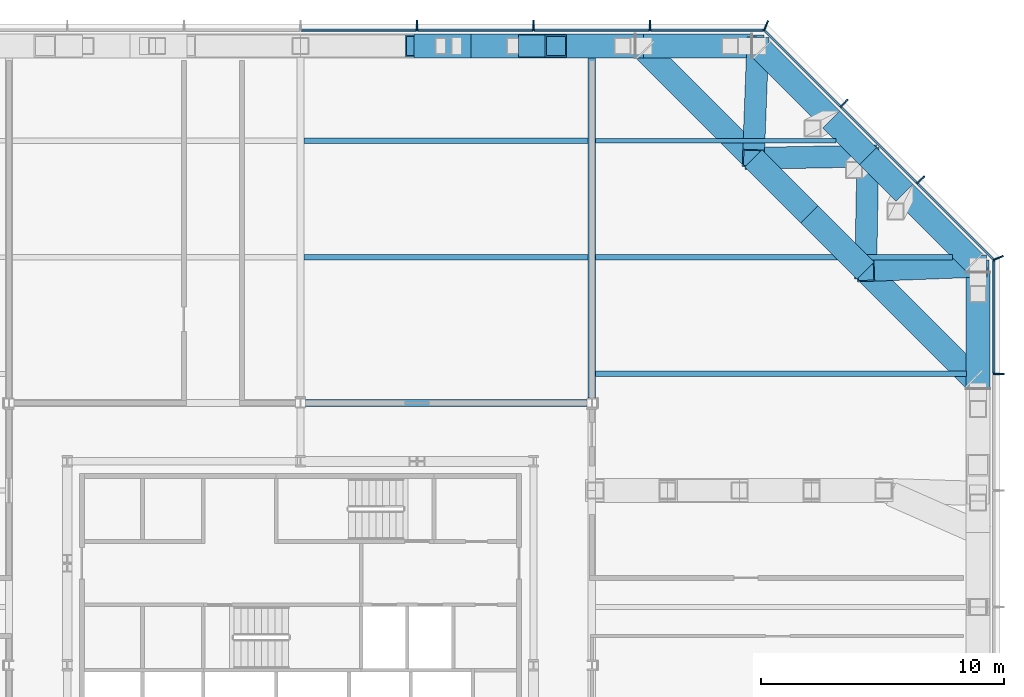
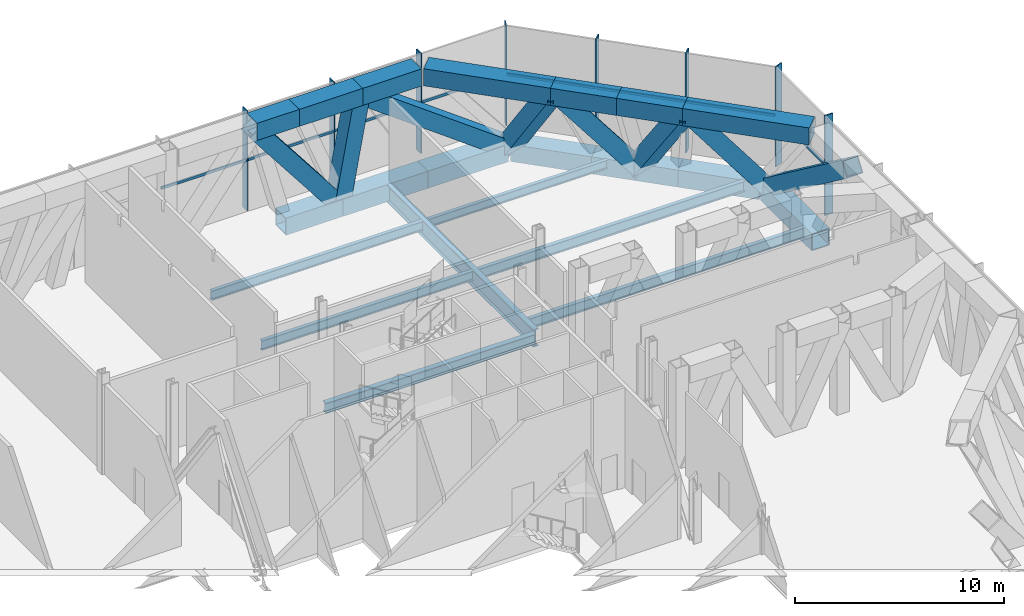
# One storey, part 8 of 17: 30 beams, 16 members, 3 elements without a shape of their own.
"""IFC4 building model written with IfcOpenShell, lengths in metres."""

from ifc_helpers import new_model, si_unit, direction, frame, origin, origin_2d, place, context, subcontext, project, spatial, rectangle, hollow_rectangle, i_section, extrude, material, material_profile, profile_set, type_object, element, aggregate, save


model = new_model("IFC4")

# Units and contexts
model_context = context("Model", 3, precision=1e-05, world=origin(), true_north=direction((0.0, 1.0)))
body_context = subcontext(model_context, "Body", "Model", "MODEL_VIEW")
ifc_project = project(units=[si_unit("LENGTHUNIT", "METRE"), si_unit("AREAUNIT", "SQUARE_METRE"), si_unit("VOLUMEUNIT", "CUBIC_METRE"), si_unit("PLANEANGLEUNIT", "RADIAN"), si_unit("MASSUNIT", "GRAM", prefix="KILO")], contexts=[model_context])

# Site, building, storey
site_placement = place(None, origin())
site = spatial("IfcSite", under=ifc_project, at=site_placement, CompositionType="ELEMENT")
building_placement = place(site_placement, origin())
building = spatial("IfcBuilding", under=site, at=building_placement, Name="Cairn Pilgrim Tower", CompositionType="ELEMENT")
storey_placement = place(building_placement, frame((0.0, 0.0, 119.39990234375)))
storey = spatial("IfcBuildingStorey", under=building, at=storey_placement, Name="L29", CompositionType="ELEMENT", Elevation=119.39990234375)

# Beams
ifc_material_1 = material(Name="Structural steel S460M", Category="steel")
ifc_material_profile_1 = material_profile(ifc_material_1, hollow_rectangle(XDim=1.0, YDim=1.0, WallThickness=0.06005859375, at=origin_2d()), Name="BOX 1000x1000x60")
ifc_profile_set_1 = profile_set([ifc_material_profile_1], Name="Structural steel S460M")
beam_type_1 = type_object("IfcBeamType", Name="BOX 1000x1000x60 CHORD", PredefinedType="USERDEFINED", material=ifc_profile_set_1)
beam_1_placement = place(storey_placement, frame((35.10009765625, 13.683837890625, -0.75), z_axis=(0.0, 1.0, 0.0), x_axis=(-1.0, 0.0, 0.0)))
element("IfcBeam", 1, at=beam_1_placement, inside=storey, type_object=beam_type_1, Name="BT29-E-BC6", ObjectType="CHORD", PredefinedType="USERDEFINED", context=body_context, shape_type="SweptSolid", body=[
    extrude(hollow_rectangle(XDim=1.0, YDim=1.0, WallThickness=0.06005859375, at=origin_2d()), origin(), (0.0, 0.0, 1.0), 4.88623046875),
])
beam_2_placement = place(storey_placement, frame((34.918212890625, 19.009033203125, -0.75), z_axis=(-0.707106781187, 0.707106781187, 0.0), x_axis=(-0.707106781187, -0.707106781187, 0.0)))
element("IfcBeam", 2, at=beam_2_placement, inside=storey, type_object=beam_type_1, Name="BT29-NE-BC1", ObjectType="CHORD", PredefinedType="USERDEFINED", context=body_context, shape_type="SweptSolid", body=[
    extrude(hollow_rectangle(XDim=1.0, YDim=1.0, WallThickness=0.06005859375, at=origin_2d()), origin(), (0.0, 0.0, 1.0), 4.02001953125),
])
beam_3_placement = place(storey_placement, frame((34.918212890625, 14.208984375, 5.35009765625), z_axis=(-0.707106781187, 0.707106781187, 0.0), x_axis=(-0.707106781187, -0.707106781187, 0.0)))
element("IfcBeam", 3, at=beam_3_placement, inside=storey, type_object=beam_type_1, Name="BT29-NE-TC1", ObjectType="CHORD", PredefinedType="USERDEFINED", context=body_context, shape_type="SweptSolid", body=[
    extrude(hollow_rectangle(XDim=1.0, YDim=1.0, WallThickness=0.06005859375, at=origin_2d()), origin(), (0.0, 0.0, 1.0), 6.28271484375),
])
beam_4_placement = place(storey_placement, frame((32.07568359375, 21.8515625, -0.75), z_axis=(-0.707106781187, 0.707106781187, 0.0), x_axis=(-0.707106781187, -0.707106781187, 0.0)))
element("IfcBeam", 4, at=beam_4_placement, inside=storey, type_object=beam_type_1, Name="BT29-NE-BC2", ObjectType="CHORD", PredefinedType="USERDEFINED", context=body_context, shape_type="SweptSolid", body=[
    extrude(hollow_rectangle(XDim=1.0, YDim=1.0, WallThickness=0.06005859375, at=origin_2d()), origin(), (0.0, 0.0, 1.0), 2.13818359375),
])
beam_5_placement = place(storey_placement, frame((30.4755859375, 18.651611328125, 5.35009765625), z_axis=(-0.707106781187, 0.707106781187, 0.0), x_axis=(-0.707106781187, -0.707106781187, 0.0)))
element("IfcBeam", 5, at=beam_5_placement, inside=storey, type_object=beam_type_1, Name="BT29-NE-TC2", ObjectType="CHORD", PredefinedType="USERDEFINED", context=body_context, shape_type="SweptSolid", body=[
    extrude(hollow_rectangle(XDim=1.0, YDim=1.0, WallThickness=0.06005859375, at=origin_2d()), origin(), (0.0, 0.0, 1.0), 3.269775390625),
])
beam_6_placement = place(storey_placement, frame((30.563720703125, 23.363525390625, -0.75), z_axis=(-0.707106781187, 0.707106781187, 0.0), x_axis=(-0.707106781187, -0.707106781187, 0.0)))
element("IfcBeam", 6, at=beam_6_placement, inside=storey, type_object=beam_type_1, Name="BT29-NE-BC3", ObjectType="CHORD", PredefinedType="USERDEFINED", context=body_context, shape_type="SweptSolid", body=[
    extrude(hollow_rectangle(XDim=1.0, YDim=1.0, WallThickness=0.06005859375, at=origin_2d()), origin(), (0.0, 0.0, 1.0), 2.138671875),
])
beam_7_placement = place(storey_placement, frame((28.16357421875, 20.963623046875, 5.35009765625), z_axis=(-0.707106781187, 0.707106781187, 0.0), x_axis=(-0.707106781187, -0.707106781187, 0.0)))
element("IfcBeam", 7, at=beam_7_placement, inside=storey, type_object=beam_type_1, Name="BT29-NE-TC3", ObjectType="CHORD", PredefinedType="USERDEFINED", context=body_context, shape_type="SweptSolid", body=[
    extrude(hollow_rectangle(XDim=1.0, YDim=1.0, WallThickness=0.06005859375, at=origin_2d()), origin(), (0.0, 0.0, 1.0), 3.269775390625),
])
beam_8_placement = place(storey_placement, frame((29.051513671875, 24.875732421875, -0.75), z_axis=(-0.707106781187, 0.707106781187, 0.0), x_axis=(-0.707106781187, -0.707106781187, 0.0)))
element("IfcBeam", 8, at=beam_8_placement, inside=storey, type_object=beam_type_1, Name="BT29-NE-BC4", ObjectType="CHORD", PredefinedType="USERDEFINED", context=body_context, shape_type="SweptSolid", body=[
    extrude(hollow_rectangle(XDim=1.0, YDim=1.0, WallThickness=0.06005859375, at=origin_2d()), origin(), (0.0, 0.0, 1.0), 4.02001953125),
])
beam_9_placement = place(storey_placement, frame((25.8515625, 23.275634765625, 5.35009765625), z_axis=(-0.707106781187, 0.707106781187, 0.0), x_axis=(-0.707106781187, -0.707106781187, 0.0)))
element("IfcBeam", 9, at=beam_9_placement, inside=storey, type_object=beam_type_1, Name="BT29-NE-TC4", ObjectType="CHORD", PredefinedType="USERDEFINED", context=body_context, shape_type="SweptSolid", body=[
    extrude(hollow_rectangle(XDim=1.0, YDim=1.0, WallThickness=0.06005859375, at=origin_2d()), origin(), (0.0, 0.0, 1.0), 6.28271484375),
])
beam_10_placement = place(storey_placement, frame((25.77001953125, 27.89990234375, -0.75), z_axis=(-1.0, 0.0, 0.0), x_axis=(0.0, -1.0, 0.0)))
element("IfcBeam", 10, at=beam_10_placement, inside=storey, type_object=beam_type_1, Name="BT29-N-BC1", ObjectType="CHORD", PredefinedType="USERDEFINED", context=body_context, shape_type="SweptSolid", body=[
    extrude(hollow_rectangle(XDim=1.0, YDim=1.0, WallThickness=0.06005859375, at=origin_2d()), origin(), (0.0, 0.0, 1.0), 4.44970703125),
])
beam_11_placement = place(storey_placement, frame((20.97021484375, 27.89990234375, 5.35009765625), z_axis=(-1.0, 0.0, 0.0), x_axis=(0.0, -1.0, 0.0)))
element("IfcBeam", 11, at=beam_11_placement, inside=storey, type_object=beam_type_1, Name="BT29-N-TC1", ObjectType="CHORD", PredefinedType="USERDEFINED", context=body_context, shape_type="SweptSolid", body=[
    extrude(hollow_rectangle(XDim=1.0, YDim=1.0, WallThickness=0.06005859375, at=origin_2d()), origin(), (0.0, 0.0, 1.0), 3.249755859375),
])
beam_12_placement = place(storey_placement, frame((21.3203125, 27.89990234375, -0.75), z_axis=(-1.0, 0.0, 0.0), x_axis=(0.0, -1.0, 0.0)))
element("IfcBeam", 12, at=beam_12_placement, inside=storey, type_object=beam_type_1, Name="BT29-N-BC2", ObjectType="CHORD", PredefinedType="USERDEFINED", context=body_context, shape_type="SweptSolid", body=[
    extrude(hollow_rectangle(XDim=1.0, YDim=1.0, WallThickness=0.06005859375, at=origin_2d()), origin(), (0.0, 0.0, 1.0), 4.706787109375),
])
beam_13_placement = place(storey_placement, frame((17.720458984375, 27.89990234375, 5.35009765625), z_axis=(-1.0, 0.0, 0.0), x_axis=(0.0, -1.0, 0.0)))
element("IfcBeam", 13, at=beam_13_placement, inside=storey, type_object=beam_type_1, Name="BT29-N-TC2", ObjectType="CHORD", PredefinedType="USERDEFINED", context=body_context, shape_type="SweptSolid", body=[
    extrude(hollow_rectangle(XDim=1.0, YDim=1.0, WallThickness=0.06005859375, at=origin_2d()), origin(), (0.0, 0.0, 1.0), 3.5068359375),
])
beam_14_placement = place(storey_placement, frame((16.613525390625, 27.89990234375, -0.75), z_axis=(-1.0, 0.0, 0.0), x_axis=(0.0, -1.0, 0.0)))
element("IfcBeam", 14, at=beam_14_placement, inside=storey, type_object=beam_type_1, Name="BT29-N-BC3", ObjectType="CHORD", PredefinedType="USERDEFINED", context=body_context, shape_type="SweptSolid", body=[
    extrude(hollow_rectangle(XDim=1.0, YDim=1.0, WallThickness=0.06005859375, at=origin_2d()), origin(), (0.0, 0.0, 1.0), 3.137939453125),
])
beam_15_placement = place(storey_placement, frame((14.213623046875, 27.89990234375, 5.35009765625), z_axis=(-1.0, 0.0, 0.0), x_axis=(0.0, -1.0, 0.0)))
element("IfcBeam", 15, at=beam_15_placement, inside=storey, type_object=beam_type_1, Name="BT29-N-TC3", ObjectType="CHORD", PredefinedType="USERDEFINED", context=body_context, shape_type="SweptSolid", body=[
    extrude(hollow_rectangle(XDim=1.0, YDim=1.0, WallThickness=0.06005859375, at=origin_2d()), origin(), (0.0, 0.0, 1.0), 2.337890625),
])
ifc_material_profile_2 = material_profile(ifc_material_1, hollow_rectangle(XDim=0.89990234375, YDim=0.89990234375, WallThickness=0.050048828125, at=origin_2d()), Name="BOX 900x900x50")
ifc_profile_set_2 = profile_set([ifc_material_profile_2], Name="Structural steel S460M")
beam_type_2 = type_object("IfcBeamType", Name="BOX 900x900x50 DIAGONAL", PredefinedType="USERDEFINED", material=ifc_profile_set_2)
beam_16_placement = place(storey_placement, frame((35.10009765625, 10.643798828125, 5.35009765625), z_axis=(0.0, 0.801756074921, -0.597651400339), x_axis=(-1.0, 0.0, 0.0)))
element("IfcBeam", 16, at=beam_16_placement, inside=storey, type_object=beam_type_2, Name="BT29-E-D6", ObjectType="DIAGONAL", PredefinedType="USERDEFINED", context=body_context, shape_type="SweptSolid", body=[
    extrude(hollow_rectangle(XDim=0.89990234375, YDim=0.89990234375, WallThickness=0.050048828125, at=origin_2d()), origin(), (0.0, 0.0, 1.0), 10.206787109375),
])
beam_17_placement = place(storey_placement, frame((35.10009765625, 18.8271484375, -0.75), z_axis=(-0.603966603661, -0.02292535044, 0.796679841573), x_axis=(0.037930661417, -0.999280373531, 0.0)))
element("IfcBeam", 17, at=beam_17_placement, inside=storey, type_object=beam_type_2, Name="BT29-NE-D1", ObjectType="DIAGONAL", PredefinedType="USERDEFINED", context=body_context, shape_type="SweptSolid", body=[
    extrude(hollow_rectangle(XDim=0.89990234375, YDim=0.89990234375, WallThickness=0.050048828125, at=origin_2d()), origin(), (0.0, 0.0, 1.0), 7.656982421875),
])
beam_18_placement = place(storey_placement, frame((30.4755859375, 18.651611328125, 5.35009765625), z_axis=(0.01143344047, 0.611261498818, -0.791346104117), x_axis=(-0.999825113676, 0.018701392023, 0.0)))
element("IfcBeam", 18, at=beam_18_placement, inside=storey, type_object=beam_type_2, Name="BT29-NE-D2", ObjectType="DIAGONAL", PredefinedType="USERDEFINED", context=body_context, shape_type="SweptSolid", body=[
    extrude(hollow_rectangle(XDim=0.89990234375, YDim=0.89990234375, WallThickness=0.050048828125, at=origin_2d()), origin(), (0.0, 0.0, 1.0), 7.70849609375),
])
beam_19_placement = place(storey_placement, frame((30.563720703125, 23.363525390625, -0.75), z_axis=(-0.611281557072, -0.011401552279, 0.791331070152), x_axis=(0.018648639741, -0.999826098997, 0.0)))
element("IfcBeam", 19, at=beam_19_placement, inside=storey, type_object=beam_type_2, Name="BT29-NE-D3", ObjectType="DIAGONAL", PredefinedType="USERDEFINED", context=body_context, shape_type="SweptSolid", body=[
    extrude(hollow_rectangle(XDim=0.89990234375, YDim=0.89990234375, WallThickness=0.050048828125, at=origin_2d()), origin(), (0.0, 0.0, 1.0), 7.708740234375),
])
beam_20_placement = place(storey_placement, frame((25.8515625, 23.275634765625, 5.35009765625), z_axis=(0.022925791926, 0.603946348917, -0.796695183677), x_axis=(-0.999280297625, 0.037932661105, 0.0)))
element("IfcBeam", 20, at=beam_20_placement, inside=storey, type_object=beam_type_2, Name="BT29-NE-D4", ObjectType="DIAGONAL", PredefinedType="USERDEFINED", context=body_context, shape_type="SweptSolid", body=[
    extrude(hollow_rectangle(XDim=0.89990234375, YDim=0.89990234375, WallThickness=0.050048828125, at=origin_2d()), origin(), (0.0, 0.0, 1.0), 7.65673828125),
])
beam_21_placement = place(storey_placement, frame((26.027099609375, 27.89990234375, -0.75), z_axis=(-0.806008667644, 0.0, 0.59190373177), x_axis=(0.0, -1.0, 0.0)))
element("IfcBeam", 21, at=beam_21_placement, inside=storey, type_object=beam_type_2, Name="BT29-N-D1", ObjectType="DIAGONAL", PredefinedType="USERDEFINED", context=body_context, shape_type="SweptSolid", body=[
    extrude(hollow_rectangle(XDim=0.89990234375, YDim=0.89990234375, WallThickness=0.050048828125, at=origin_2d()), origin(), (0.0, 0.0, 1.0), 10.305908203125),
])
beam_22_placement = place(storey_placement, frame((17.720458984375, 27.89990234375, 5.35009765625), z_axis=(-0.178545820319, 0.0, -0.983931598256), x_axis=(0.0, -1.0, 0.0)))
element("IfcBeam", 22, at=beam_22_placement, inside=storey, type_object=beam_type_2, Name="BT29-N-D2", ObjectType="DIAGONAL", PredefinedType="USERDEFINED", context=body_context, shape_type="SweptSolid", body=[
    extrude(hollow_rectangle(XDim=0.89990234375, YDim=0.89990234375, WallThickness=0.050048828125, at=origin_2d()), origin(), (0.0, 0.0, 1.0), 6.19970703125),
])
beam_23_placement = place(storey_placement, frame((16.613525390625, 27.89990234375, -0.75), z_axis=(-0.613397771934, 0.0, 0.789774128081), x_axis=(0.0, -1.0, 0.0)))
element("IfcBeam", 23, at=beam_23_placement, inside=storey, type_object=beam_type_2, Name="BT29-N-D3", ObjectType="DIAGONAL", PredefinedType="USERDEFINED", context=body_context, shape_type="SweptSolid", body=[
    extrude(hollow_rectangle(XDim=0.89990234375, YDim=0.89990234375, WallThickness=0.050048828125, at=origin_2d()), origin(), (0.0, 0.0, 1.0), 7.723876953125),
])

# Curtain wall, member
ifc_material_2 = material(Name="Aluminium alloy 6063-T6 bronze anodised with Bronze tinted laminated low-E glass 8+16+8.8", Category="aluminium")
curtain_wall_type = type_object("IfcCurtainWallType", Name="PLANT LOUVRE CURTAIN WALL", PredefinedType="NOTDEFINED", material=ifc_material_2)
curtain_wall_1_placement = place(storey_placement, origin())
curtain_wall_1 = element("IfcCurtainWall", 24, at=curtain_wall_1_placement, inside=storey, type_object=curtain_wall_type, Name="Plant Louvre Curtain Wall E", PredefinedType="NOTDEFINED")
ifc_material_3 = material(Name="Aluminium alloy 6063-T6 bronze anodised", Category="aluminium")
ifc_material_profile_3 = material_profile(ifc_material_3, rectangle(XDim=0.449951171875, YDim=0.06005859375, at=origin_2d()), Name="FIN MULLION 60x450 BRONZE")
ifc_profile_set_3 = profile_set([ifc_material_profile_3], Name="Aluminium alloy 6063-T6 bronze anodised")
member_type_1 = type_object("IfcMemberType", Name="FIN MULLION 60x450 BRONZE", PredefinedType="MULLION", material=ifc_profile_set_3)
member_1_placement = place(storey_placement, frame((35.945068359375, 14.39990234375, 0.0), z_axis=(0.0, 0.0, 1.0), x_axis=(1.0, 0.0, 0.0)))
member_1 = element("IfcMember", 25, at=member_1_placement, type_object=member_type_1, Name="Fin mullion E6", PredefinedType="MULLION", context=body_context, shape_type="SweptSolid", body=[
    extrude(rectangle(XDim=0.449951171875, YDim=0.06005859375, at=origin_2d()), origin(), (0.0, 0.0, 1.0), 5.85009765625),
])

# Curtain wall, members
curtain_wall_2_placement = place(storey_placement, origin())
curtain_wall_2 = element("IfcCurtainWall", 26, at=curtain_wall_2_placement, inside=storey, type_object=curtain_wall_type, Name="Plant Louvre Curtain Wall NE", PredefinedType="NOTDEFINED")
member_2_placement = place(storey_placement, frame((35.93017578125, 19.171142578125, 0.0), z_axis=(0.0, 0.0, 1.0), x_axis=(0.923879532511, 0.382683432365, 0.0)))
member_2 = element("IfcMember", 27, at=member_2_placement, type_object=member_type_1, Name="Fin mullion NE1", PredefinedType="MULLION", context=body_context, shape_type="SweptSolid", body=[
    extrude(rectangle(XDim=0.449951171875, YDim=0.06005859375, at=origin_2d()), origin(), (0.0, 0.0, 1.0), 5.85009765625),
])
member_3_placement = place(storey_placement, frame((32.73681640625, 22.385498046875, 0.0), z_axis=(0.0, 0.0, 1.0), x_axis=(0.707106781187, 0.707106781187, 0.0)))
member_3 = element("IfcMember", 28, at=member_3_placement, type_object=member_type_1, Name="Fin mullion NE2", PredefinedType="MULLION", context=body_context, shape_type="SweptSolid", body=[
    extrude(rectangle(XDim=0.449951171875, YDim=0.06005859375, at=origin_2d()), origin(), (0.0, 0.0, 1.0), 5.85009765625),
])
member_4_placement = place(storey_placement, frame((29.58544921875, 25.53662109375, 0.0), z_axis=(0.0, 0.0, 1.0), x_axis=(0.707106781187, 0.707106781187, 0.0)))
member_4 = element("IfcMember", 29, at=member_4_placement, type_object=member_type_1, Name="Fin mullion NE3", PredefinedType="MULLION", context=body_context, shape_type="SweptSolid", body=[
    extrude(rectangle(XDim=0.449951171875, YDim=0.06005859375, at=origin_2d()), origin(), (0.0, 0.0, 1.0), 5.85009765625),
])

curtain_wall_3_placement = place(storey_placement, origin())
curtain_wall_3 = element("IfcCurtainWall", 30, at=curtain_wall_3_placement, inside=storey, type_object=curtain_wall_type, Name="Plant Louvre Curtain Wall N", PredefinedType="NOTDEFINED")
member_5_placement = place(storey_placement, frame((26.37109375, 28.730224609375, 0.0), z_axis=(0.0, 0.0, 1.0), x_axis=(0.382683432365, 0.923879532511, 0.0)))
member_5 = element("IfcMember", 31, at=member_5_placement, type_object=member_type_1, Name="Fin mullion N1", PredefinedType="MULLION", context=body_context, shape_type="SweptSolid", body=[
    extrude(rectangle(XDim=0.449951171875, YDim=0.06005859375, at=origin_2d()), origin(), (0.0, 0.0, 1.0), 5.85009765625),
])
member_6_placement = place(storey_placement, frame((21.60009765625, 28.7451171875, 0.0), z_axis=(0.0, 0.0, 1.0), x_axis=(0.0, 1.0, 0.0)))
member_6 = element("IfcMember", 32, at=member_6_placement, type_object=member_type_1, Name="Fin mullion N2", PredefinedType="MULLION", context=body_context, shape_type="SweptSolid", body=[
    extrude(rectangle(XDim=0.449951171875, YDim=0.06005859375, at=origin_2d()), origin(), (0.0, 0.0, 1.0), 5.85009765625),
])
member_7_placement = place(storey_placement, frame((16.800048828125, 28.7451171875, 0.0), z_axis=(0.0, 0.0, 1.0), x_axis=(0.0, 1.0, 0.0)))
member_7 = element("IfcMember", 33, at=member_7_placement, type_object=member_type_1, Name="Fin mullion N3", PredefinedType="MULLION", context=body_context, shape_type="SweptSolid", body=[
    extrude(rectangle(XDim=0.449951171875, YDim=0.06005859375, at=origin_2d()), origin(), (0.0, 0.0, 1.0), 5.85009765625),
])
member_8_placement = place(storey_placement, frame((12.0, 28.7451171875, 0.0), z_axis=(0.0, 0.0, 1.0), x_axis=(0.0, 1.0, 0.0)))
member_8 = element("IfcMember", 34, at=member_8_placement, type_object=member_type_1, Name="Fin mullion N4", PredefinedType="MULLION", context=body_context, shape_type="SweptSolid", body=[
    extrude(rectangle(XDim=0.449951171875, YDim=0.06005859375, at=origin_2d()), origin(), (0.0, 0.0, 1.0), 5.85009765625),
])

# Beams
ifc_material_4 = material(Name="Structural steel S355J2", Category="steel")
ifc_material_profile_4 = material_profile(ifc_material_4, i_section(OverallWidth=0.300048828125, OverallDepth=0.60009765625, WebThickness=0.015380859375, FlangeThickness=0.030029296875, FilletRadius=0.027099609375, at=origin_2d()), Name="HEB 600")
ifc_profile_set_4 = profile_set([ifc_material_profile_4], Name="Structural steel S355J2")
beam_type_3 = type_object("IfcBeamType", Name="HEB 600 INNER GIRDER", PredefinedType="BEAM", material=ifc_profile_set_4)
beam_24_placement = place(storey_placement, frame((7.404541015625, 13.199951171875, -0.5498046875), z_axis=(1.0, 0.0, 0.0), x_axis=(0.0, 1.0, 0.0)))
element("IfcBeam", 35, at=beam_24_placement, inside=storey, type_object=beam_type_3, Name="IG2-2", PredefinedType="BEAM", context=body_context, shape_type="SweptSolid", body=[
    extrude(i_section(OverallWidth=0.300048828125, OverallDepth=0.60009765625, WebThickness=0.015380859375, FlangeThickness=0.030029296875, FilletRadius=0.027099609375, at=origin_2d()), origin(), (0.0, 0.0, 1.0), 11.591064453125),
])
ifc_material_profile_5 = material_profile(ifc_material_4, i_section(OverallWidth=0.302001953125, OverallDepth=1.008056640625, WebThickness=0.02099609375, FlangeThickness=0.0400390625, FilletRadius=0.030029296875, at=origin_2d()), Name="HEM 1000")
ifc_profile_set_5 = profile_set([ifc_material_profile_5], Name="Structural steel S355J2")
beam_type_4 = type_object("IfcBeamType", Name="HEM 1000 GIRDER", PredefinedType="BEAM", material=ifc_profile_set_5)
beam_25_placement = place(storey_placement, frame((19.199951171875, 13.404541015625, -0.75390625), z_axis=(0.0, 1.0, 0.0), x_axis=(-1.0, 0.0, 0.0)))
element("IfcBeam", 36, at=beam_25_placement, inside=storey, type_object=beam_type_4, Name="PG4-5", PredefinedType="BEAM", context=body_context, shape_type="SweptSolid", body=[
    extrude(i_section(OverallWidth=0.302001953125, OverallDepth=1.008056640625, WebThickness=0.02099609375, FlangeThickness=0.0400390625, FilletRadius=0.030029296875, at=origin_2d()), origin(), (0.0, 0.0, 1.0), 14.025390625),
])
ifc_material_profile_6 = material_profile(ifc_material_4, i_section(OverallWidth=0.199951171875, OverallDepth=0.5, WebThickness=0.01025390625, FlangeThickness=0.01611328125, FilletRadius=0.02099609375, at=origin_2d()), Name="IPE 500")
ifc_profile_set_6 = profile_set([ifc_material_profile_6], Name="Structural steel S355J2")
beam_type_5 = type_object("IfcBeamType", Name="IPE 500 SECONDARY BEAM", PredefinedType="JOIST", material=ifc_profile_set_6)
beam_26_placement = place(storey_placement, frame((19.35009765625, 24.0, -0.5), z_axis=(1.0, 0.0, 0.0), x_axis=(0.0, 1.0, 0.0)))
element("IfcBeam", 37, at=beam_26_placement, inside=storey, type_object=beam_type_5, Name="SB9-4", PredefinedType="JOIST", context=body_context, shape_type="SweptSolid", body=[
    extrude(i_section(OverallWidth=0.199951171875, OverallDepth=0.5, WebThickness=0.01025390625, FlangeThickness=0.01611328125, FilletRadius=0.02099609375, at=origin_2d()), origin(), (0.0, 0.0, 1.0), 9.89990234375),
])
ifc_material_profile_7 = material_profile(ifc_material_4, i_section(OverallWidth=0.2099609375, OverallDepth=0.550048828125, WebThickness=0.010986328125, FlangeThickness=0.01708984375, FilletRadius=0.02392578125, at=origin_2d()), Name="IPE 550")
ifc_profile_set_7 = profile_set([ifc_material_profile_7], Name="Structural steel S355J2")
beam_type_6 = type_object("IfcBeamType", Name="IPE 550 SECONDARY BEAM", PredefinedType="JOIST", material=ifc_profile_set_7)
for number, where, z_axis, x_axis, name in (
    (38, (7.35009765625, 19.199951171875, -0.52490234375), (1.0, 0.0, 0.0), (0.0, 1.0, 0.0), "SB8-4"),
    (39, (7.35009765625, 24.0, -0.52490234375), (1.0, 0.0, 0.0), (0.0, 1.0, 0.0), "SB9-3"),
):
    element("IfcBeam", number, at=place(storey_placement, frame(where, z_axis=z_axis, x_axis=x_axis)), inside=storey, type_object=beam_type_6, Name=name, PredefinedType="JOIST", context=body_context, shape_type="SweptSolid", body=[
        extrude(i_section(OverallWidth=0.2099609375, OverallDepth=0.550048828125, WebThickness=0.010986328125, FlangeThickness=0.01708984375, FilletRadius=0.02392578125, at=origin_2d()), origin(), (0.0, 0.0, 1.0), 11.699951171875),
    ])
ifc_material_profile_8 = material_profile(ifc_material_4, i_section(OverallWidth=0.219970703125, OverallDepth=0.60009765625, WebThickness=0.011962890625, FlangeThickness=0.01904296875, FilletRadius=0.02392578125, at=origin_2d()), Name="IPE 600")
ifc_profile_set_8 = profile_set([ifc_material_profile_8], Name="Structural steel S355J2")
beam_type_7 = type_object("IfcBeamType", Name="IPE 600 SECONDARY BEAM", PredefinedType="JOIST", material=ifc_profile_set_8)
beam_27_placement = place(storey_placement, frame((19.35009765625, 14.39990234375, -0.5498046875), z_axis=(1.0, 0.0, 0.0), x_axis=(0.0, 1.0, 0.0)))
element("IfcBeam", 40, at=beam_27_placement, inside=storey, type_object=beam_type_7, Name="SB7-3", PredefinedType="JOIST", context=body_context, shape_type="SweptSolid", body=[
    extrude(i_section(OverallWidth=0.219970703125, OverallDepth=0.60009765625, WebThickness=0.011962890625, FlangeThickness=0.01904296875, FilletRadius=0.02392578125, at=origin_2d()), origin(), (0.0, 0.0, 1.0), 15.27978515625),
])
beam_28_placement = place(storey_placement, frame((19.35009765625, 19.199951171875, -0.5498046875), z_axis=(1.0, 0.0, 0.0), x_axis=(0.0, 1.0, 0.0)))
element("IfcBeam", 41, at=beam_28_placement, inside=storey, type_object=beam_type_7, Name="SB8-5", PredefinedType="JOIST", context=body_context, shape_type="SweptSolid", body=[
    extrude(i_section(OverallWidth=0.219970703125, OverallDepth=0.60009765625, WebThickness=0.011962890625, FlangeThickness=0.01904296875, FilletRadius=0.02392578125, at=origin_2d()), origin(), (0.0, 0.0, 1.0), 14.699951171875),
])

# Member
ifc_material_profile_9 = material_profile(ifc_material_3, rectangle(XDim=0.080078125, YDim=0.14990234375, at=origin_2d()), Name="TRANSOM 80x150 BRONZE")
ifc_profile_set_9 = profile_set([ifc_material_profile_9], Name="Aluminium alloy 6063-T6 bronze anodised")
member_type_2 = type_object("IfcMemberType", Name="TRANSOM 80x150 BRONZE", PredefinedType="USERDEFINED", material=ifc_profile_set_9)
member_9_placement = place(storey_placement, frame((35.75, 14.429931640625, 3.0), z_axis=(0.0, 1.0, 0.0), x_axis=(-1.0, 0.0, 0.0)))
member_9 = element("IfcMember", 42, at=member_9_placement, type_object=member_type_2, Name="Transom E6", ObjectType="TRANSOM", PredefinedType="USERDEFINED", context=body_context, shape_type="SweptSolid", body=[
    extrude(rectangle(XDim=0.080078125, YDim=0.14990234375, at=origin_2d()), origin(), (0.0, 0.0, 1.0), 4.62646484375),
])

aggregate(curtain_wall_1, [member_1, member_9])

member_10_placement = place(storey_placement, frame((35.7216796875, 19.124755859375, 3.0), z_axis=(-0.707106781187, 0.707106781187, 0.0), x_axis=(-0.707106781187, -0.707106781187, 0.0)))
member_10 = element("IfcMember", 43, at=member_10_placement, type_object=member_type_2, Name="Transom NE1", ObjectType="TRANSOM", PredefinedType="USERDEFINED", context=body_context, shape_type="SweptSolid", body=[
    extrude(rectangle(XDim=0.080078125, YDim=0.14990234375, at=origin_2d()), origin(), (0.0, 0.0, 1.0), 4.38623046875),
])

member_11_placement = place(storey_placement, frame((32.57763671875, 22.268798828125, 3.0), z_axis=(-0.707106781187, 0.707106781187, 0.0), x_axis=(-0.707106781187, -0.707106781187, 0.0)))
member_11 = element("IfcMember", 44, at=member_11_placement, type_object=member_type_2, Name="Transom NE2", ObjectType="TRANSOM", PredefinedType="USERDEFINED", context=body_context, shape_type="SweptSolid", body=[
    extrude(rectangle(XDim=0.080078125, YDim=0.14990234375, at=origin_2d()), origin(), (0.0, 0.0, 1.0), 4.396728515625),
])

member_12_placement = place(storey_placement, frame((29.426513671875, 25.419921875, 3.0), z_axis=(-0.707106781187, 0.707106781187, 0.0), x_axis=(-0.707106781187, -0.707106781187, 0.0)))
member_12 = element("IfcMember", 45, at=member_12_placement, type_object=member_type_2, Name="Transom NE3", ObjectType="TRANSOM", PredefinedType="USERDEFINED", context=body_context, shape_type="SweptSolid", body=[
    extrude(rectangle(XDim=0.080078125, YDim=0.14990234375, at=origin_2d()), origin(), (0.0, 0.0, 1.0), 4.38671875),
])

aggregate(curtain_wall_2, [member_2, member_3, member_4, member_10, member_11, member_12])

member_13_placement = place(storey_placement, frame((26.25634765625, 28.550048828125, 3.0), z_axis=(-1.0, 0.0, 0.0), x_axis=(0.0, -1.0, 0.0)))
member_13 = element("IfcMember", 46, at=member_13_placement, type_object=member_type_2, Name="Transom N1", ObjectType="TRANSOM", PredefinedType="USERDEFINED", context=body_context, shape_type="SweptSolid", body=[
    extrude(rectangle(XDim=0.080078125, YDim=0.14990234375, at=origin_2d()), origin(), (0.0, 0.0, 1.0), 4.62646484375),
])

member_14_placement = place(storey_placement, frame((21.570068359375, 28.550048828125, 3.0), z_axis=(-1.0, 0.0, 0.0), x_axis=(0.0, -1.0, 0.0)))
member_14 = element("IfcMember", 47, at=member_14_placement, type_object=member_type_2, Name="Transom N2", ObjectType="TRANSOM", PredefinedType="USERDEFINED", context=body_context, shape_type="SweptSolid", body=[
    extrude(rectangle(XDim=0.080078125, YDim=0.14990234375, at=origin_2d()), origin(), (0.0, 0.0, 1.0), 4.739990234375),
])

member_15_placement = place(storey_placement, frame((16.77001953125, 28.550048828125, 3.0), z_axis=(-1.0, 0.0, 0.0), x_axis=(0.0, -1.0, 0.0)))
member_15 = element("IfcMember", 48, at=member_15_placement, type_object=member_type_2, Name="Transom N3", ObjectType="TRANSOM", PredefinedType="USERDEFINED", context=body_context, shape_type="SweptSolid", body=[
    extrude(rectangle(XDim=0.080078125, YDim=0.14990234375, at=origin_2d()), origin(), (0.0, 0.0, 1.0), 4.739990234375),
])

member_16_placement = place(storey_placement, frame((11.969970703125, 28.550048828125, 3.0), z_axis=(-1.0, 0.0, 0.0), x_axis=(0.0, -1.0, 0.0)))
member_16 = element("IfcMember", 49, at=member_16_placement, type_object=member_type_2, Name="Transom N4", ObjectType="TRANSOM", PredefinedType="USERDEFINED", context=body_context, shape_type="SweptSolid", body=[
    extrude(rectangle(XDim=0.080078125, YDim=0.14990234375, at=origin_2d()), origin(), (0.0, 0.0, 1.0), 4.739990234375),
])

aggregate(curtain_wall_3, [member_5, member_6, member_7, member_8, member_13, member_14, member_15, member_16])

save(model, "model.ifc")
